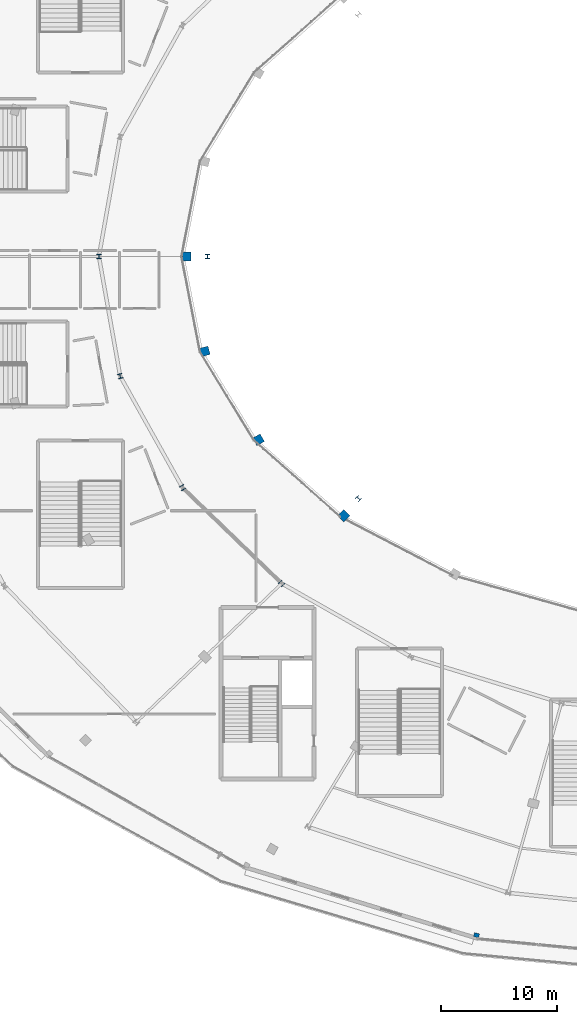
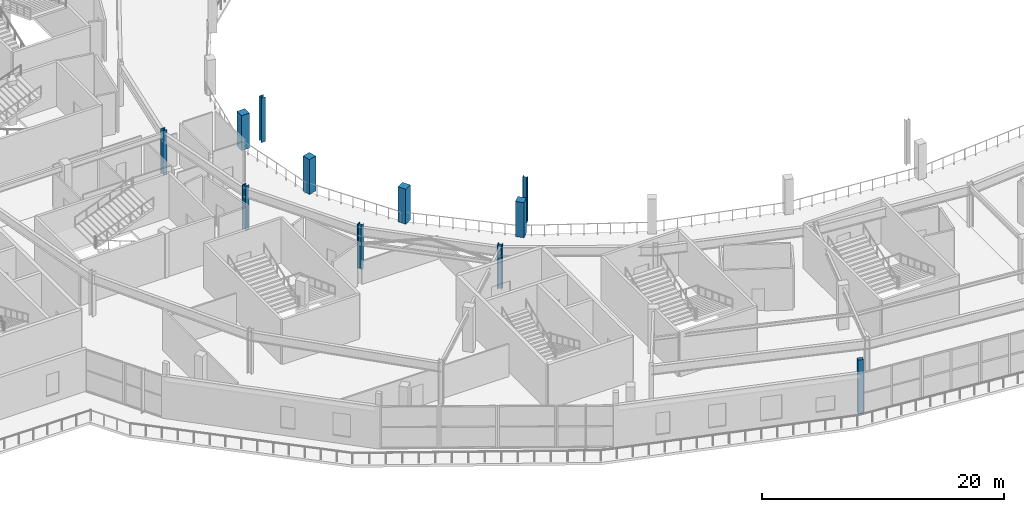
# One storey, part 3 of 123: 11 columns.
"""IFC4 building model written with IfcOpenShell, lengths in metres."""

from ifc_helpers import new_model, si_unit, direction, frame, origin, origin_2d, place, context, subcontext, project, spatial, rectangle, i_section, extrude, material, material_profile, profile_set, type_object, element, save


model = new_model("IFC4")

# Units and contexts
model_context = context("Model", 3, precision=1e-05, world=origin(), true_north=direction((0.0, 1.0)))
body_context = subcontext(model_context, "Body", "Model", "MODEL_VIEW")
ifc_project = project(units=[si_unit("LENGTHUNIT", "METRE"), si_unit("AREAUNIT", "SQUARE_METRE"), si_unit("VOLUMEUNIT", "CUBIC_METRE"), si_unit("PLANEANGLEUNIT", "RADIAN"), si_unit("MASSUNIT", "GRAM", prefix="KILO")], contexts=[model_context])

# Site, building, storey
site_placement = place(None, origin())
site = spatial("IfcSite", under=ifc_project, at=site_placement, CompositionType="ELEMENT")
building_placement = place(site_placement, origin())
building = spatial("IfcBuilding", under=site, at=building_placement, Name="Kalgoora Escarpment Arena", CompositionType="ELEMENT")
storey_placement = place(building_placement, frame((0.0, 0.0, 9.89990234375)))
storey = spatial("IfcBuildingStorey", under=building, at=storey_placement, Name="L02", CompositionType="ELEMENT", Elevation=9.89990234375)

# Columns
ifc_material_1 = material(Name="Structural steel Grade 350 (350 MPa)", Category="steel")
ifc_material_profile_1 = material_profile(ifc_material_1, i_section(OverallWidth=0.39990234375, OverallDepth=0.39990234375, WebThickness=0.01806640625, FlangeThickness=0.031982421875, at=origin_2d()))
ifc_profile_set_1 = profile_set([ifc_material_profile_1], Name="Structural steel Grade 350 (350 MPa)")
column_type_1 = type_object("IfcColumnType", Name="COL-COL-400WC270", PredefinedType="COLUMN", material=ifc_profile_set_1)
for number, where, z_axis, x_axis, name in (
    (1, (38.39990234375, 64.0, 0.0), (0.0, 0.0, 1.0), (-1.0, 0.0, 0.0), "L02 structural column COL-RMAIN-R13"),
    (2, (40.239990234375, 53.647216796875, 0.0), (0.0, 0.0, 1.0), (-0.965925826289, -0.258819045103, 0.0), "L02 structural column COL-RMAIN-R14"),
    (3, (45.634521484375, 44.0, 0.0), (0.0, 0.0, 1.0), (-0.866025403784, -0.5, 0.0), "L02 structural column COL-RMAIN-R15"),
    (4, (54.21630859375, 35.7158203125, 0.0), (0.0, 0.0, 1.0), (-0.707106781187, -0.707106781187, 0.0), "L02 structural column COL-RMAIN-R16"),
    (5, (47.800048828125, 64.0, 0.0), (0.0, 0.0, 1.0), (-1.0, 0.0, 0.0), "L02 structural column COL-TSPINE-S05"),
    (6, (60.863037109375, 43.069580078125, 0.0), (0.0, 0.0, 1.0), (-0.707106781187, -0.707106781187, 0.0), "L02 structural column COL-TSPINE-S06"),
):
    element("IfcColumn", number, at=place(storey_placement, frame(where, z_axis=z_axis, x_axis=x_axis)), inside=storey, type_object=column_type_1, Name=name, PredefinedType="COLUMN", context=body_context, shape_type="SweptSolid", body=[
        extrude(i_section(OverallWidth=0.39990234375, OverallDepth=0.39990234375, WebThickness=0.01806640625, FlangeThickness=0.031982421875, at=origin_2d()), origin(), (0.0, 0.0, 1.0), 4.5),
    ])
ifc_material_2 = material(Name="Concrete N50 (fc' 50 MPa)", Category="concrete")
ifc_material_profile_2 = material_profile(ifc_material_2, rectangle(XDim=0.75, YDim=0.75, at=origin_2d()))
ifc_profile_set_2 = profile_set([ifc_material_profile_2], Name="Concrete N50 (fc' 50 MPa)")
column_type_2 = type_object("IfcColumnType", Name="COL-COL-RC750x750", PredefinedType="COLUMN", material=ifc_profile_set_2)
column_1_placement = place(storey_placement, frame((45.989990234375, 64.0, 0.0), z_axis=(0.0, 0.0, 1.0), x_axis=(-1.0, 0.0, 0.0)))
element("IfcColumn", 7, at=column_1_placement, inside=storey, type_object=column_type_2, Name="L02 structural column COL-RMID-R13", PredefinedType="COLUMN", context=body_context, shape_type="SweptSolid", body=[
    extrude(rectangle(XDim=0.75, YDim=0.75, at=origin_2d()), origin(), (0.0, 0.0, 1.0), 3.54296875),
])
column_2_placement = place(storey_placement, frame((47.5712890625, 55.790283203125, 0.0), z_axis=(0.0, 0.0, 1.0), x_axis=(-0.965925826289, -0.258819045103, 0.0)))
element("IfcColumn", 8, at=column_2_placement, inside=storey, type_object=column_type_2, Name="L02 structural column COL-RMID-R14", PredefinedType="COLUMN", context=body_context, shape_type="SweptSolid", body=[
    extrude(rectangle(XDim=0.75, YDim=0.75, at=origin_2d()), origin(), (0.0, 0.0, 1.0), 3.5439453125),
])
column_3_placement = place(storey_placement, frame((52.207763671875, 48.139892578125, 0.0), z_axis=(0.0, 0.0, 1.0), x_axis=(-0.866025403784, -0.5, 0.0)))
element("IfcColumn", 9, at=column_3_placement, inside=storey, type_object=column_type_2, Name="L02 structural column COL-RMID-R15", PredefinedType="COLUMN", context=body_context, shape_type="SweptSolid", body=[
    extrude(rectangle(XDim=0.75, YDim=0.75, at=origin_2d()), origin(), (0.0, 0.0, 1.0), 3.546142578125),
])
column_4_placement = place(storey_placement, frame((59.583251953125, 41.570556640625, 0.0), z_axis=(0.0, 0.0, 1.0), x_axis=(-0.707106781187, -0.707106781187, 0.0)))
element("IfcColumn", 10, at=column_4_placement, inside=storey, type_object=column_type_2, Name="L02 structural column COL-RMID-R16", PredefinedType="COLUMN", context=body_context, shape_type="SweptSolid", body=[
    extrude(rectangle(XDim=0.75, YDim=0.75, at=origin_2d()), origin(), (0.0, 0.0, 1.0), 3.549072265625),
])
ifc_material_3 = material(Name="Precast concrete N50 (fc' 50 MPa)", Category="concrete")
ifc_material_profile_3 = material_profile(ifc_material_3, rectangle(XDim=0.35009765625, YDim=0.449951171875, at=origin_2d()))
ifc_profile_set_3 = profile_set([ifc_material_profile_3], Name="Precast concrete N50 (fc' 50 MPa)")
column_type_3 = type_object("IfcColumnType", Name="COL-PIL-PC-PILASTER-450x350", PredefinedType="PILASTER", material=ifc_profile_set_3)
column_5_placement = place(storey_placement, frame((71.072998046875, 5.27197265625, 0.0), z_axis=(0.0, 0.0, 1.0), x_axis=(-0.258819045103, -0.965925826289, 0.0)))
element("IfcColumn", 11, at=column_5_placement, inside=storey, type_object=column_type_3, Name="L02 fluted pilaster PIL-063", PredefinedType="PILASTER", context=body_context, shape_type="SweptSolid", body=[
    extrude(rectangle(XDim=0.35009765625, YDim=0.449951171875, at=origin_2d()), origin(), (0.0, 0.0, 1.0), 5.4501953125),
])

save(model, "model.ifc")
